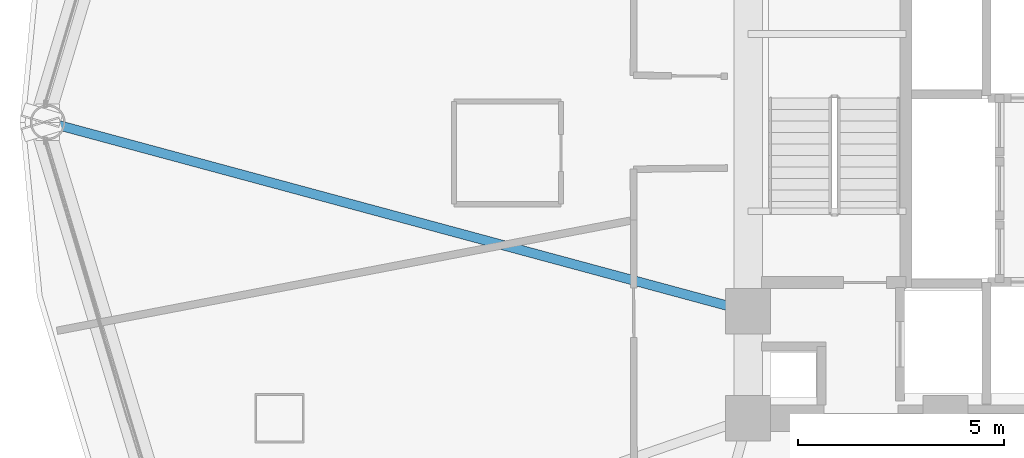
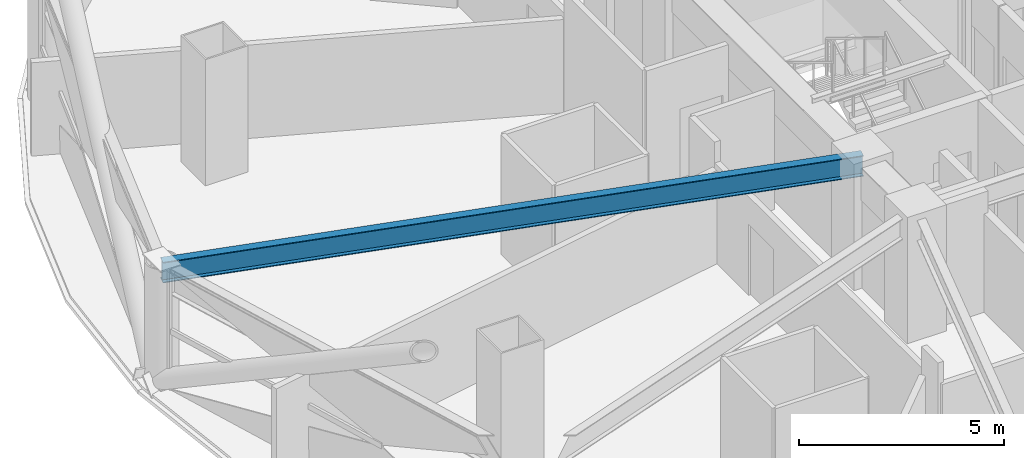
# One storey, part 7 of 31: 1 beam.
"""IFC4 building model written with IfcOpenShell, lengths in metres."""

from ifc_helpers import new_model, si_unit, direction, frame, origin, origin_2d, place, context, subcontext, project, spatial, i_section, extrude, material, material_profile, profile_set, type_object, element, save


model = new_model("IFC4")

# Units and contexts
model_context = context("Model", 3, precision=1e-05, world=origin(), true_north=direction((0.0, 1.0)))
body_context = subcontext(model_context, "Body", "Model", "MODEL_VIEW")
ifc_project = project(units=[si_unit("LENGTHUNIT", "METRE"), si_unit("AREAUNIT", "SQUARE_METRE"), si_unit("VOLUMEUNIT", "CUBIC_METRE"), si_unit("PLANEANGLEUNIT", "RADIAN"), si_unit("MASSUNIT", "GRAM", prefix="KILO")], contexts=[model_context])

# Site, building, storey
site_placement = place(None, origin())
site = spatial("IfcSite", under=ifc_project, at=site_placement, CompositionType="ELEMENT")
building_placement = place(site_placement, origin())
building = spatial("IfcBuilding", under=site, at=building_placement, Name="Vantalir Tower", CompositionType="ELEMENT")
storey_placement = place(building_placement, frame((0.0, 0.0, 42.0)))
storey = spatial("IfcBuildingStorey", under=building, at=storey_placement, Name="L09", CompositionType="ELEMENT", Elevation=42.0)

# Beam
ifc_material = material(Name="Steel S355", Category="steel")
ifc_material_profile = material_profile(ifc_material, i_section(OverallWidth=0.22998046875, OverallDepth=0.616943359375, WebThickness=0.01318359375, FlangeThickness=0.022216796875, at=origin_2d()), Name="Steel S355")
ifc_profile_set = profile_set([ifc_material_profile], Name="Steel S355")
beam_type = type_object("IfcBeamType", Name="BM-RB-610x229", PredefinedType="BEAM", material=ifc_profile_set)
beam_placement = place(storey_placement, frame((4.861083984375, 25.0, 3.261962890625), z_axis=(0.965434547817, -0.260645609749, 0.0), x_axis=(0.260645609749, 0.965434547817, 0.0)))
element("IfcBeam", 1, at=beam_placement, inside=storey, type_object=beam_type, Name="L09 Radial Floor Beam 07", PredefinedType="BEAM", context=body_context, shape_type="SweptSolid", body=[
    extrude(i_section(OverallWidth=0.22998046875, OverallDepth=0.616943359375, WebThickness=0.01318359375, FlangeThickness=0.022216796875, at=origin_2d()), origin(), (0.0, 0.0, 1.0), 17.64892578125),
])

save(model, "model.ifc")
